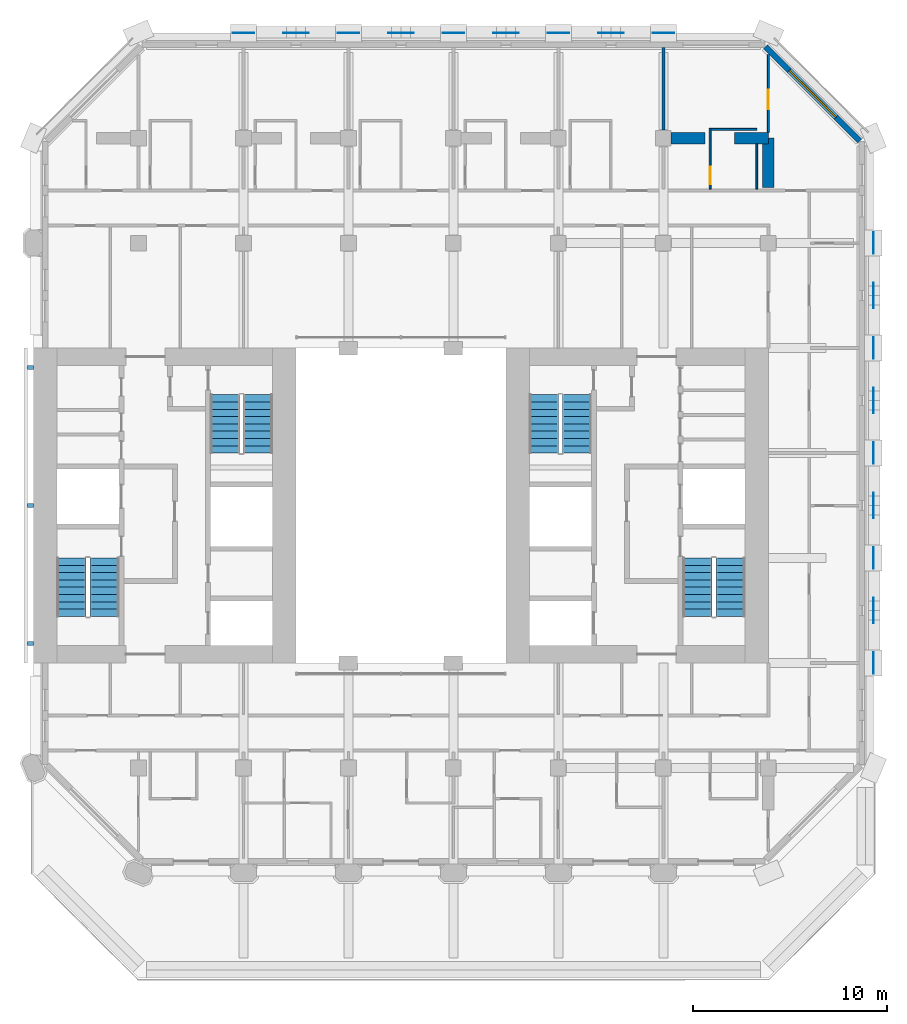
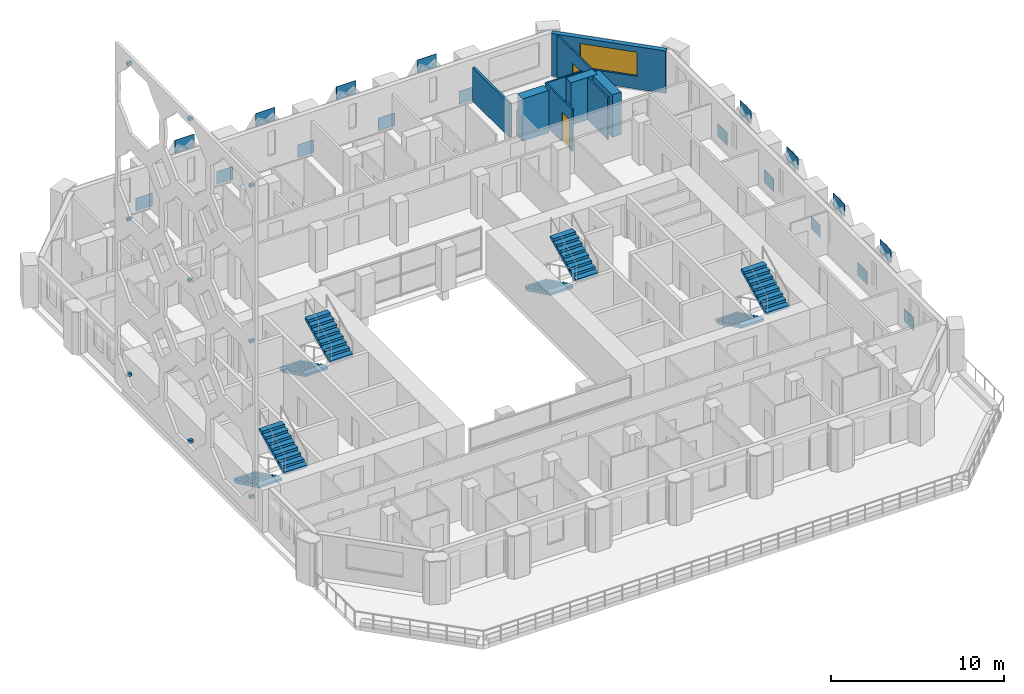
# One storey, part 14 of 17: 27 discrete accessories, 9 walls, 8 stair flights, 2 doors, 1 window, 3 openings, 4 elements without a shape of their own.
"""IFC4 building model written with IfcOpenShell, lengths in metres."""

from ifc_helpers import new_model, si_unit, direction, frame, frame_2d, origin, origin_2d, place, context, subcontext, project, spatial, polyline, rectangle, outline, extrude, material, layer, layer_set, type_object, element, fill, aggregate, save


model = new_model("IFC4")

# Units and contexts
model_context = context("Model", 3, precision=1e-05, world=origin(), true_north=direction((0.0, 1.0)))
body_context = subcontext(model_context, "Body", "Model", "MODEL_VIEW")
ifc_project = project(units=[si_unit("LENGTHUNIT", "METRE"), si_unit("AREAUNIT", "SQUARE_METRE"), si_unit("VOLUMEUNIT", "CUBIC_METRE"), si_unit("PLANEANGLEUNIT", "RADIAN"), si_unit("MASSUNIT", "GRAM", prefix="KILO")], contexts=[model_context])

# Site, building, storey
site_placement = place(None, origin())
site = spatial("IfcSite", under=ifc_project, at=site_placement, CompositionType="ELEMENT")
building_placement = place(site_placement, origin())
building = spatial("IfcBuilding", under=site, at=building_placement, Name="Tabaq Tower and Sports Hall", CompositionType="ELEMENT")
storey_placement = place(building_placement, frame((0.0, 0.0, 180.699951171875)))
storey = spatial("IfcBuildingStorey", under=building, at=storey_placement, Name="L43", CompositionType="ELEMENT", Elevation=180.699951171875)

# Wall, opening, door
ifc_material_1 = material(Name="Gypsum board on steel studs", Category="steel")
ifc_layer_1 = layer(ifc_material_1, 0.10009765625)
ifc_layer_set_1 = layer_set([ifc_layer_1], Name="Partition 100 Gypsum board")
wall_type_1 = type_object("IfcWallType", Name="Partition 100 Gypsum board", PredefinedType="PARTITIONING", material=ifc_layer_set_1)
wall_1_placement = place(storey_placement, frame((43.199951171875, 43.5009765625, 0.0), z_axis=(0.0, 0.0, 1.0), x_axis=(0.0, 1.0, 0.0)))
wall_1 = element("IfcWall", 1, at=wall_1_placement, inside=storey, type_object=wall_type_1, Name="Partition wall L43", PredefinedType="PARTITIONING", context=body_context, shape_type="SweptSolid", body=[
    extrude(rectangle(XDim=3.98681640625, YDim=0.10009765625, at=frame_2d((1.993408203125, 0.0))), origin(), (0.0, 0.0, 1.0), 3.0),
])
opening_1_placement = place(wall_1_placement, frame((1.191650390625, 0.0, 0.0)))
opening_1 = element("IfcOpeningElement", 2, at=opening_1_placement, cuts=wall_1, Name="Opening L43-037", PredefinedType="OPENING", context=body_context, shape_type="SweptSolid", body=[
    extrude(rectangle(XDim=1.0, YDim=2.10009765625, at=frame_2d((0.5, 1.050048828125))), frame((0.0, 0.050048828125, 0.0), z_axis=(0.0, -1.0, 0.0), x_axis=(1.0, 0.0, 0.0)), (0.0, 0.0, 1.0), 0.10009765625),
])
ifc_material_2 = material(Name="Timber leaf in steel frame", Category="steel")
door_type_1 = type_object("IfcDoorType", Name="Internal door 1000 right hand", OperationType="SINGLE_SWING_RIGHT", PredefinedType="DOOR", material=ifc_material_2)
door_1_placement = place(opening_1_placement, origin())
door_1 = element("IfcDoor", 3, at=door_1_placement, inside=storey, type_object=door_type_1, Name="Internal door L43-037", OperationType="SINGLE_SWING_RIGHT", OverallHeight=2.10009765625, OverallWidth=1.0, PredefinedType="DOOR", context=body_context, shape_type="SweptSolid", body=[
    extrude(rectangle(XDim=1.0, YDim=2.10009765625, at=frame_2d((0.5, 1.050048828125))), frame((0.0, 0.02490234375, 0.0), z_axis=(0.0, -1.0, 0.0), x_axis=(1.0, 0.0, 0.0)), (0.0, 0.0, 1.0), 0.050048828125),
])
fill(opening_1, door_1)

wall_2_placement = place(storey_placement, frame((40.199951171875, 40.574951171875, 0.0), z_axis=(0.0, 0.0, 1.0), x_axis=(0.0, 1.0, 0.0)))
wall_2 = element("IfcWall", 4, at=wall_2_placement, inside=storey, type_object=wall_type_1, Name="Partition wall L43", PredefinedType="PARTITIONING", context=body_context, shape_type="SweptSolid", body=[
    extrude(rectangle(XDim=3.125, YDim=0.10009765625, at=frame_2d((1.5625, 0.0))), origin(), (0.0, 0.0, 1.0), 3.0),
])
opening_2_placement = place(wall_2_placement, frame((0.25, 0.0, 0.0)))
opening_2 = element("IfcOpeningElement", 5, at=opening_2_placement, cuts=wall_2, Name="Opening L43-008", PredefinedType="OPENING", context=body_context, shape_type="SweptSolid", body=[
    extrude(rectangle(XDim=0.89990234375, YDim=2.10009765625, at=frame_2d((0.449951171875, 1.050048828125))), frame((0.0, 0.050048828125, 0.0), z_axis=(0.0, -1.0, 0.0), x_axis=(1.0, 0.0, 0.0)), (0.0, 0.0, 1.0), 0.10009765625),
])
ifc_material_3 = material(Name="Timber leaf in steel frame", Category="steel")
door_type_2 = type_object("IfcDoorType", Name="Internal door 900 right hand", OperationType="SINGLE_SWING_RIGHT", PredefinedType="DOOR", material=ifc_material_3)
door_2_placement = place(opening_2_placement, origin())
door_2 = element("IfcDoor", 6, at=door_2_placement, inside=storey, type_object=door_type_2, Name="Internal door L43-008", OperationType="SINGLE_SWING_RIGHT", OverallHeight=2.10009765625, OverallWidth=0.89990234375, PredefinedType="DOOR", context=body_context, shape_type="SweptSolid", body=[
    extrude(rectangle(XDim=0.89990234375, YDim=2.10009765625, at=frame_2d((0.449951171875, 1.050048828125))), frame((0.0, 0.02490234375, 0.0), z_axis=(0.0, -1.0, 0.0), x_axis=(1.0, 0.0, 0.0)), (0.0, 0.0, 1.0), 0.050048828125),
])
fill(opening_2, door_2)

# Walls
wall_3_placement = place(storey_placement, frame((40.25, 43.64990234375, 0.0), z_axis=(0.0, 0.0, 1.0), x_axis=(1.0, 0.0, 0.0)))
element("IfcWall", 7, at=wall_3_placement, inside=storey, type_object=wall_type_1, Name="Partition wall L43", PredefinedType="PARTITIONING", context=body_context, shape_type="SweptSolid", body=[
    extrude(rectangle(XDim=2.35009765625, YDim=0.10009765625, at=frame_2d((1.175048828125, 0.0))), origin(), (0.0, 0.0, 1.0), 3.0),
])
wall_4_placement = place(storey_placement, frame((42.60009765625, 42.89892578125, 0.0), z_axis=(0.0, 0.0, 1.0), x_axis=(0.0, -1.0, 0.0)))
element("IfcWall", 8, at=wall_4_placement, inside=storey, type_object=wall_type_1, Name="Partition wall L43", PredefinedType="PARTITIONING", context=body_context, shape_type="SweptSolid", body=[
    extrude(rectangle(XDim=2.323974609375, YDim=0.10009765625, at=frame_2d((1.162109375, 0.0))), origin(), (0.0, 0.0, 1.0), 3.0),
])
ifc_material_4 = material(Name="Concrete C50/60", Category="concrete")
ifc_layer_2 = layer(ifc_material_4, 0.60009765625)
ifc_layer_set_2 = layer_set([ifc_layer_2], Name="RC TRANSFER WALL 600 C50/60")
wall_type_2 = type_object("IfcWallType", Name="RC TRANSFER WALL 600 C50/60", PredefinedType="SHEAR", material=ifc_layer_set_2)
wall_5_placement = place(storey_placement, frame((43.199951171875, 40.64990234375, 0.0), z_axis=(0.0, 0.0, 1.0), x_axis=(0.0, 1.0, 0.0)))
element("IfcWall", 9, at=wall_5_placement, inside=storey, type_object=wall_type_2, Name="Transfer Wall L43 East 3", PredefinedType="SHEAR", context=body_context, shape_type="SweptSolid", body=[
    extrude(rectangle(XDim=2.550048828125, YDim=0.60009765625, at=frame_2d((1.27490234375, 0.0))), origin(), (0.0, 0.0, 1.0), 3.0),
])
for number, where, z_axis, x_axis, name in (
    (10, (38.199951171875, 43.199951171875, 0.0), (0.0, 0.0, 1.0), (1.0, 0.0, 0.0), "Transfer Wall L43 North 10"),
    (11, (41.449951171875, 43.199951171875, 0.0), (0.0, 0.0, 1.0), (1.0, 0.0, 0.0), "Transfer Wall L43 North 11"),
):
    element("IfcWall", number, at=place(storey_placement, frame(where, z_axis=z_axis, x_axis=x_axis)), inside=storey, type_object=wall_type_2, Name=name, PredefinedType="SHEAR", context=body_context, shape_type="SweptSolid", body=[
        extrude(rectangle(XDim=1.75, YDim=0.60009765625, at=frame_2d((0.875, 0.0))), origin(), (0.0, 0.0, 1.0), 3.0),
    ])
ifc_material_5 = material(Name="Blockwork", Category="masonry")
ifc_layer_3 = layer(ifc_material_5, 0.14990234375)
ifc_layer_set_3 = layer_set([ifc_layer_3], Name="Separating wall 150 Blockwork")
wall_type_3 = type_object("IfcWallType", Name="Separating wall 150 Blockwork", PredefinedType="PARTITIONING", material=ifc_layer_set_3)
wall_6_placement = place(storey_placement, frame((37.800048828125, 43.6201171875, 0.0), z_axis=(0.0, 0.0, 1.0), x_axis=(0.0, 1.0, 0.0)))
element("IfcWall", 12, at=wall_6_placement, inside=storey, type_object=wall_type_3, Name="Separating wall L43", PredefinedType="PARTITIONING", context=body_context, shape_type="SweptSolid", body=[
    extrude(rectangle(XDim=4.22900390625, YDim=0.14990234375, at=frame_2d((2.114501953125, 0.0))), origin(), (0.0, 0.0, 1.0), 2.400146484375),
])

# Wall, opening, window
ifc_material_6 = material(Name="White precast concrete C60/75", Category="concrete")
ifc_layer_4 = layer(ifc_material_6, 0.300048828125)
ifc_layer_set_4 = layer_set([ifc_layer_4], Name="White precast concrete C60/75 external wall 300")
wall_type_4 = type_object("IfcWallType", Name="White precast concrete C60/75 external wall 300", PredefinedType="SOLIDWALL", material=ifc_layer_set_4)
wall_7_placement = place(storey_placement, frame((47.901123046875, 43.050537109375, 0.0), z_axis=(0.0, 0.0, 1.0), x_axis=(-0.707106781187, 0.707106781187, 0.0)))
wall_7 = element("IfcWall", 13, at=wall_7_placement, inside=storey, type_object=wall_type_4, Name="External Wall L43 NE", PredefinedType="SOLIDWALL", context=body_context, shape_type="SweptSolid", body=[
    extrude(rectangle(XDim=6.85986328125, YDim=0.300048828125, at=frame_2d((3.429931640625, 0.0))), origin(), (0.0, 0.0, 1.0), 3.0),
])
opening_3_placement = place(wall_7_placement, frame((1.729736328125, 0.0, 0.89990234375)))
opening_3 = element("IfcOpeningElement", 14, at=opening_3_placement, cuts=wall_7, Name="Opening W1A", PredefinedType="OPENING", context=body_context, shape_type="SweptSolid", body=[
    extrude(rectangle(XDim=3.39990234375, YDim=1.699951171875, at=frame_2d((1.699951171875, 0.85009765625))), frame((0.0, 0.16015625, 0.0), z_axis=(0.0, -1.0, 0.0), x_axis=(1.0, 0.0, 0.0)), (0.0, 0.0, 1.0), 0.320068359375),
])
ifc_material_7 = material(Name="Aluminium framed clear glazing", Category="aluminium")
window_type = type_object("IfcWindowType", Name="Window W1A", PartitioningType="SINGLE_PANEL", PredefinedType="WINDOW", material=ifc_material_7)
window_placement = place(opening_3_placement, origin())
window = element("IfcWindow", 15, at=window_placement, inside=storey, type_object=window_type, Name="Window W1A L43", OverallHeight=1.699951171875, OverallWidth=3.39990234375, PartitioningType="SINGLE_PANEL", PredefinedType="WINDOW", context=body_context, shape_type="SweptSolid", body=[
    extrude(rectangle(XDim=3.39990234375, YDim=1.699951171875, at=frame_2d((1.699951171875, 0.85009765625))), frame((0.0, 0.030029296875, 0.0), z_axis=(0.0, -1.0, 0.0), x_axis=(1.0, 0.0, 0.0)), (0.0, 0.0, 1.0), 0.06005859375),
])
fill(opening_3, window)

# Stair, stair flights
ifc_material_8 = material(Name="Concrete C40/50", Category="concrete")
stair_type = type_object("IfcStairType", Name="Exit stair", PredefinedType="HALF_TURN_STAIR", material=ifc_material_8)
stair_1_placement = place(storey_placement, origin())
stair_1 = element("IfcStair", 16, at=stair_1_placement, inside=storey, type_object=stair_type, Name="L43 Exit stair ST1", PredefinedType="HALF_TURN_STAIR")
ifc_material_9 = material(Name="Concrete C40/50", Category="concrete")
stair_flight_type = type_object("IfcStairFlightType", Name="Exit stair flight", PredefinedType="STRAIGHT", material=ifc_material_9)
stair_flight_1_placement = place(storey_placement, frame((7.35009765625, 21.60009765625, 0.0), z_axis=(0.0, 0.0, 1.0), x_axis=(0.0, -1.0, 0.0)))
stair_flight_1 = element("IfcStairFlight", 17, at=stair_flight_1_placement, type_object=stair_flight_type, Name="ST1 flight 1", NumberOfRisers=9, NumberOfTreads=8, PredefinedType="STRAIGHT", RiserHeight=0.183333333, TreadLength=0.375, context=body_context, shape_type="SweptSolid", body=[
    extrude(outline(polyline([(0.0, 0.0), (0.0, 0.183349609375), (0.375, 0.183349609375), (0.375, 0.36669921875), (0.75, 0.36669921875), (0.75, 0.550048828125), (1.125, 0.550048828125), (1.125, 0.7333984375), (1.5, 0.7333984375), (1.5, 0.916748046875), (1.875, 0.916748046875), (1.875, 1.10009765625), (2.25, 1.10009765625), (2.25, 1.283447265625), (2.625, 1.283447265625), (2.625, 1.466552734375), (3.0, 1.466552734375), (3.0, 1.64990234375), (3.0, 1.2998046875), (0.34130859375, 0.0), (0.0, 0.0)])), frame((0.0, 0.75, 0.0), z_axis=(0.0, -1.0, 0.0), x_axis=(1.0, 0.0, 0.0)), (0.0, 0.0, 1.0), 1.5),
])
stair_flight_2_placement = place(storey_placement, frame((9.050048828125, 18.60009765625, 1.650146484375), z_axis=(0.0, 0.0, 1.0), x_axis=(0.0, 1.0, 0.0)))
stair_flight_2 = element("IfcStairFlight", 18, at=stair_flight_2_placement, type_object=stair_flight_type, Name="ST1 flight 2", NumberOfRisers=9, NumberOfTreads=8, PredefinedType="STRAIGHT", RiserHeight=0.183333333, TreadLength=0.375, context=body_context, shape_type="SweptSolid", body=[
    extrude(outline(polyline([(0.0, 0.0), (0.0, 0.183349609375), (0.375, 0.183349609375), (0.375, 0.36669921875), (0.75, 0.36669921875), (0.75, 0.550048828125), (1.125, 0.550048828125), (1.125, 0.7333984375), (1.5, 0.7333984375), (1.5, 0.916748046875), (1.875, 0.916748046875), (1.875, 1.10009765625), (2.25, 1.10009765625), (2.25, 1.283447265625), (2.625, 1.283447265625), (2.625, 1.466552734375), (3.0, 1.466552734375), (3.0, 1.64990234375), (3.0, 1.2998046875), (0.34130859375, 0.0), (0.0, 0.0)])), frame((0.0, 0.75, 0.0), z_axis=(0.0, -1.0, 0.0), x_axis=(1.0, 0.0, 0.0)), (0.0, 0.0, 1.0), 1.5),
])
aggregate(stair_1, [stair_flight_1, stair_flight_2])

stair_2_placement = place(storey_placement, origin())
stair_2 = element("IfcStair", 19, at=stair_2_placement, inside=storey, type_object=stair_type, Name="L43 Exit stair ST2", PredefinedType="HALF_TURN_STAIR")
stair_flight_3_placement = place(storey_placement, frame((15.25, 30.0, 0.0), z_axis=(0.0, 0.0, 1.0), x_axis=(0.0, -1.0, 0.0)))
stair_flight_3 = element("IfcStairFlight", 20, at=stair_flight_3_placement, type_object=stair_flight_type, Name="ST2 flight 1", NumberOfRisers=9, NumberOfTreads=8, PredefinedType="STRAIGHT", RiserHeight=0.183333333, TreadLength=0.375, context=body_context, shape_type="SweptSolid", body=[
    extrude(outline(polyline([(0.0, 0.0), (0.0, 0.183349609375), (0.375, 0.183349609375), (0.375, 0.36669921875), (0.75, 0.36669921875), (0.75, 0.550048828125), (1.125, 0.550048828125), (1.125, 0.7333984375), (1.5, 0.7333984375), (1.5, 0.916748046875), (1.875, 0.916748046875), (1.875, 1.10009765625), (2.25, 1.10009765625), (2.25, 1.283447265625), (2.625, 1.283447265625), (2.625, 1.466552734375), (3.0, 1.466552734375), (3.0, 1.64990234375), (3.0, 1.2998046875), (0.34130859375, 0.0), (0.0, 0.0)])), frame((0.0, 0.75, 0.0), z_axis=(0.0, -1.0, 0.0), x_axis=(1.0, 0.0, 0.0)), (0.0, 0.0, 1.0), 1.5),
])
stair_flight_4_placement = place(storey_placement, frame((16.949951171875, 27.0, 1.650146484375), z_axis=(0.0, 0.0, 1.0), x_axis=(0.0, 1.0, 0.0)))
stair_flight_4 = element("IfcStairFlight", 21, at=stair_flight_4_placement, type_object=stair_flight_type, Name="ST2 flight 2", NumberOfRisers=9, NumberOfTreads=8, PredefinedType="STRAIGHT", RiserHeight=0.183333333, TreadLength=0.375, context=body_context, shape_type="SweptSolid", body=[
    extrude(outline(polyline([(0.0, 0.0), (0.0, 0.183349609375), (0.375, 0.183349609375), (0.375, 0.36669921875), (0.75, 0.36669921875), (0.75, 0.550048828125), (1.125, 0.550048828125), (1.125, 0.7333984375), (1.5, 0.7333984375), (1.5, 0.916748046875), (1.875, 0.916748046875), (1.875, 1.10009765625), (2.25, 1.10009765625), (2.25, 1.283447265625), (2.625, 1.283447265625), (2.625, 1.466552734375), (3.0, 1.466552734375), (3.0, 1.64990234375), (3.0, 1.2998046875), (0.34130859375, 0.0), (0.0, 0.0)])), frame((0.0, 0.75, 0.0), z_axis=(0.0, -1.0, 0.0), x_axis=(1.0, 0.0, 0.0)), (0.0, 0.0, 1.0), 1.5),
])
aggregate(stair_2, [stair_flight_3, stair_flight_4])

stair_3_placement = place(storey_placement, origin())
stair_3 = element("IfcStair", 22, at=stair_3_placement, inside=storey, type_object=stair_type, Name="L43 Exit stair ST3", PredefinedType="HALF_TURN_STAIR")
stair_flight_5_placement = place(storey_placement, frame((39.550048828125, 21.60009765625, 0.0), z_axis=(0.0, 0.0, 1.0), x_axis=(0.0, -1.0, 0.0)))
stair_flight_5 = element("IfcStairFlight", 23, at=stair_flight_5_placement, type_object=stair_flight_type, Name="ST3 flight 1", NumberOfRisers=9, NumberOfTreads=8, PredefinedType="STRAIGHT", RiserHeight=0.183333333, TreadLength=0.375, context=body_context, shape_type="SweptSolid", body=[
    extrude(outline(polyline([(0.0, 0.0), (0.0, 0.183349609375), (0.375, 0.183349609375), (0.375, 0.36669921875), (0.75, 0.36669921875), (0.75, 0.550048828125), (1.125, 0.550048828125), (1.125, 0.7333984375), (1.5, 0.7333984375), (1.5, 0.916748046875), (1.875, 0.916748046875), (1.875, 1.10009765625), (2.25, 1.10009765625), (2.25, 1.283447265625), (2.625, 1.283447265625), (2.625, 1.466552734375), (3.0, 1.466552734375), (3.0, 1.64990234375), (3.0, 1.2998046875), (0.34130859375, 0.0), (0.0, 0.0)])), frame((0.0, 0.75, 0.0), z_axis=(0.0, -1.0, 0.0), x_axis=(1.0, 0.0, 0.0)), (0.0, 0.0, 1.0), 1.5),
])
stair_flight_6_placement = place(storey_placement, frame((41.25, 18.60009765625, 1.650146484375), z_axis=(0.0, 0.0, 1.0), x_axis=(0.0, 1.0, 0.0)))
stair_flight_6 = element("IfcStairFlight", 24, at=stair_flight_6_placement, type_object=stair_flight_type, Name="ST3 flight 2", NumberOfRisers=9, NumberOfTreads=8, PredefinedType="STRAIGHT", RiserHeight=0.183333333, TreadLength=0.375, context=body_context, shape_type="SweptSolid", body=[
    extrude(outline(polyline([(0.0, 0.0), (0.0, 0.183349609375), (0.375, 0.183349609375), (0.375, 0.36669921875), (0.75, 0.36669921875), (0.75, 0.550048828125), (1.125, 0.550048828125), (1.125, 0.7333984375), (1.5, 0.7333984375), (1.5, 0.916748046875), (1.875, 0.916748046875), (1.875, 1.10009765625), (2.25, 1.10009765625), (2.25, 1.283447265625), (2.625, 1.283447265625), (2.625, 1.466552734375), (3.0, 1.466552734375), (3.0, 1.64990234375), (3.0, 1.2998046875), (0.34130859375, 0.0), (0.0, 0.0)])), frame((0.0, 0.75, 0.0), z_axis=(0.0, -1.0, 0.0), x_axis=(1.0, 0.0, 0.0)), (0.0, 0.0, 1.0), 1.5),
])
aggregate(stair_3, [stair_flight_5, stair_flight_6])

stair_4_placement = place(storey_placement, origin())
stair_4 = element("IfcStair", 25, at=stair_4_placement, inside=storey, type_object=stair_type, Name="L43 Exit stair ST4", PredefinedType="HALF_TURN_STAIR")
stair_flight_7_placement = place(storey_placement, frame((31.64990234375, 30.0, 0.0), z_axis=(0.0, 0.0, 1.0), x_axis=(0.0, -1.0, 0.0)))
stair_flight_7 = element("IfcStairFlight", 26, at=stair_flight_7_placement, type_object=stair_flight_type, Name="ST4 flight 1", NumberOfRisers=9, NumberOfTreads=8, PredefinedType="STRAIGHT", RiserHeight=0.183333333, TreadLength=0.375, context=body_context, shape_type="SweptSolid", body=[
    extrude(outline(polyline([(0.0, 0.0), (0.0, 0.183349609375), (0.375, 0.183349609375), (0.375, 0.36669921875), (0.75, 0.36669921875), (0.75, 0.550048828125), (1.125, 0.550048828125), (1.125, 0.7333984375), (1.5, 0.7333984375), (1.5, 0.916748046875), (1.875, 0.916748046875), (1.875, 1.10009765625), (2.25, 1.10009765625), (2.25, 1.283447265625), (2.625, 1.283447265625), (2.625, 1.466552734375), (3.0, 1.466552734375), (3.0, 1.64990234375), (3.0, 1.2998046875), (0.34130859375, 0.0), (0.0, 0.0)])), frame((0.0, 0.75, 0.0), z_axis=(0.0, -1.0, 0.0), x_axis=(1.0, 0.0, 0.0)), (0.0, 0.0, 1.0), 1.5),
])
stair_flight_8_placement = place(storey_placement, frame((33.35009765625, 27.0, 1.650146484375), z_axis=(0.0, 0.0, 1.0), x_axis=(0.0, 1.0, 0.0)))
stair_flight_8 = element("IfcStairFlight", 27, at=stair_flight_8_placement, type_object=stair_flight_type, Name="ST4 flight 2", NumberOfRisers=9, NumberOfTreads=8, PredefinedType="STRAIGHT", RiserHeight=0.183333333, TreadLength=0.375, context=body_context, shape_type="SweptSolid", body=[
    extrude(outline(polyline([(0.0, 0.0), (0.0, 0.183349609375), (0.375, 0.183349609375), (0.375, 0.36669921875), (0.75, 0.36669921875), (0.75, 0.550048828125), (1.125, 0.550048828125), (1.125, 0.7333984375), (1.5, 0.7333984375), (1.5, 0.916748046875), (1.875, 0.916748046875), (1.875, 1.10009765625), (2.25, 1.10009765625), (2.25, 1.283447265625), (2.625, 1.283447265625), (2.625, 1.466552734375), (3.0, 1.466552734375), (3.0, 1.64990234375), (3.0, 1.2998046875), (0.34130859375, 0.0), (0.0, 0.0)])), frame((0.0, 0.75, 0.0), z_axis=(0.0, -1.0, 0.0), x_axis=(1.0, 0.0, 0.0)), (0.0, 0.0, 1.0), 1.5),
])
aggregate(stair_4, [stair_flight_7, stair_flight_8])

# Discrete accessories
ifc_material_10 = material(Name="Steel S355", Category="steel")
ifc_layer_5 = layer(ifc_material_10, 0.030029296875)
ifc_layer_set_5 = layer_set([ifc_layer_5], Name="TRANSFER BAND NODE PLATE 1100x900x30 S355")
discrete_accessory_type_1 = type_object("IfcDiscreteAccessoryType", Name="TRANSFER BAND NODE PLATE 1100x900x30 S355", PredefinedType="ANCHORPLATE", material=ifc_layer_set_5)
for number, where, z_axis, x_axis, name in (
    (28, (48.614990234375, 16.199951171875, -0.5), (0.0, 0.0, 1.0), (0.0, 1.0, 0.0), "Transfer band node plate L43 East"),
    (29, (48.614990234375, 21.60009765625, -0.5), (0.0, 0.0, 1.0), (0.0, 1.0, 0.0), "Transfer band node plate L43 East"),
    (30, (48.614990234375, 27.0, -0.5), (0.0, 0.0, 1.0), (0.0, 1.0, 0.0), "Transfer band node plate L43 East"),
    (31, (48.614990234375, 32.39990234375, -0.5), (0.0, 0.0, 1.0), (0.0, 1.0, 0.0), "Transfer band node plate L43 East"),
    (32, (48.614990234375, 37.800048828125, -0.5), (0.0, 0.0, 1.0), (0.0, 1.0, 0.0), "Transfer band node plate L43 East"),
    (33, (16.199951171875, 48.614990234375, -0.5), (0.0, 0.0, 1.0), (-1.0, 0.0, 0.0), "Transfer band node plate L43 North"),
    (34, (21.60009765625, 48.614990234375, -0.5), (0.0, 0.0, 1.0), (-1.0, 0.0, 0.0), "Transfer band node plate L43 North"),
    (35, (27.0, 48.614990234375, -0.5), (0.0, 0.0, 1.0), (-1.0, 0.0, 0.0), "Transfer band node plate L43 North"),
    (36, (32.39990234375, 48.614990234375, -0.5), (0.0, 0.0, 1.0), (-1.0, 0.0, 0.0), "Transfer band node plate L43 North"),
    (37, (37.800048828125, 48.614990234375, -0.5), (0.0, 0.0, 1.0), (-1.0, 0.0, 0.0), "Transfer band node plate L43 North"),
):
    element("IfcDiscreteAccessory", number, at=place(storey_placement, frame(where, z_axis=z_axis, x_axis=x_axis)), inside=storey, type_object=discrete_accessory_type_1, Name=name, PredefinedType="ANCHORPLATE", context=body_context, shape_type="SweptSolid", body=[
        extrude(rectangle(XDim=1.10009765625, YDim=0.030029296875, at=origin_2d()), origin(), (0.0, 0.0, 1.0), 0.89990234375),
    ])
ifc_material_11 = material(Name="Steel S355", Category="steel")
ifc_layer_6 = layer(ifc_material_11, 0.030029296875)
ifc_layer_set_6 = layer_set([ifc_layer_6], Name="TRANSFER BAND NODE PLATE 1300x900x30 S355")
discrete_accessory_type_2 = type_object("IfcDiscreteAccessoryType", Name="TRANSFER BAND NODE PLATE 1300x900x30 S355", PredefinedType="ANCHORPLATE", material=ifc_layer_set_6)
for number, where, z_axis, x_axis, name in (
    (38, (48.614990234375, 18.89990234375, 2.7001953125), (0.0, 0.0, 1.0), (0.0, 1.0, 0.0), "Transfer band node plate L43 East"),
    (39, (48.614990234375, 24.300048828125, 2.7001953125), (0.0, 0.0, 1.0), (0.0, 1.0, 0.0), "Transfer band node plate L43 East"),
    (40, (48.614990234375, 29.699951171875, 2.7001953125), (0.0, 0.0, 1.0), (0.0, 1.0, 0.0), "Transfer band node plate L43 East"),
    (41, (48.614990234375, 35.10009765625, 2.7001953125), (0.0, 0.0, 1.0), (0.0, 1.0, 0.0), "Transfer band node plate L43 East"),
    (42, (18.89990234375, 48.614990234375, 2.7001953125), (0.0, 0.0, 1.0), (-1.0, 0.0, 0.0), "Transfer band node plate L43 North"),
    (43, (24.300048828125, 48.614990234375, 2.7001953125), (0.0, 0.0, 1.0), (-1.0, 0.0, 0.0), "Transfer band node plate L43 North"),
    (44, (29.699951171875, 48.614990234375, 2.7001953125), (0.0, 0.0, 1.0), (-1.0, 0.0, 0.0), "Transfer band node plate L43 North"),
    (45, (35.10009765625, 48.614990234375, 2.7001953125), (0.0, 0.0, 1.0), (-1.0, 0.0, 0.0), "Transfer band node plate L43 North"),
):
    element("IfcDiscreteAccessory", number, at=place(storey_placement, frame(where, z_axis=z_axis, x_axis=x_axis)), inside=storey, type_object=discrete_accessory_type_2, Name=name, PredefinedType="ANCHORPLATE", context=body_context, shape_type="SweptSolid", body=[
        extrude(rectangle(XDim=1.300048828125, YDim=0.030029296875, at=origin_2d()), origin(), (0.0, 0.0, 1.0), 0.89990234375),
    ])
for number, where, z_axis, x_axis, name in (
    (46, (5.25, 31.39990234375, 1.9501953125), (0.0, 0.0, 1.0), (0.0, 1.0, 0.0), "Stainless steel bracket"),
    (47, (5.25, 31.39990234375, 12.9501953125), (0.0, 0.0, 1.0), (0.0, 1.0, 0.0), "Stainless steel bracket"),
    (48, (5.25, 31.39990234375, 23.9501953125), (0.0, 0.0, 1.0), (0.0, 1.0, 0.0), "Stainless steel bracket"),
    (49, (5.25, 24.300048828125, 1.55029296875), (0.0, 0.0, 1.0), (0.0, 1.0, 0.0), "Stainless steel bracket"),
    (50, (5.25, 24.300048828125, 12.9501953125), (0.0, 0.0, 1.0), (0.0, 1.0, 0.0), "Stainless steel bracket"),
    (51, (5.25, 24.300048828125, 24.35009765625), (0.0, 0.0, 1.0), (0.0, 1.0, 0.0), "Stainless steel bracket"),
    (52, (5.25, 17.199951171875, 1.9501953125), (0.0, 0.0, 1.0), (0.0, 1.0, 0.0), "Stainless steel bracket"),
    (53, (5.25, 17.199951171875, 12.9501953125), (0.0, 0.0, 1.0), (0.0, 1.0, 0.0), "Stainless steel bracket"),
    (54, (5.25, 17.199951171875, 23.9501953125), (0.0, 0.0, 1.0), (0.0, 1.0, 0.0), "Stainless steel bracket"),
):
    element("IfcDiscreteAccessory", number, at=place(storey_placement, frame(where, z_axis=z_axis, x_axis=x_axis)), inside=storey, Name=name, PredefinedType="BRACKET", context=body_context, shape_type="SweptSolid", body=[
        extrude(rectangle(XDim=0.199951171875, YDim=0.300048828125, at=origin_2d()), origin(), (0.0, 0.0, 1.0), 0.199951171875),
    ])

save(model, "model.ifc")
